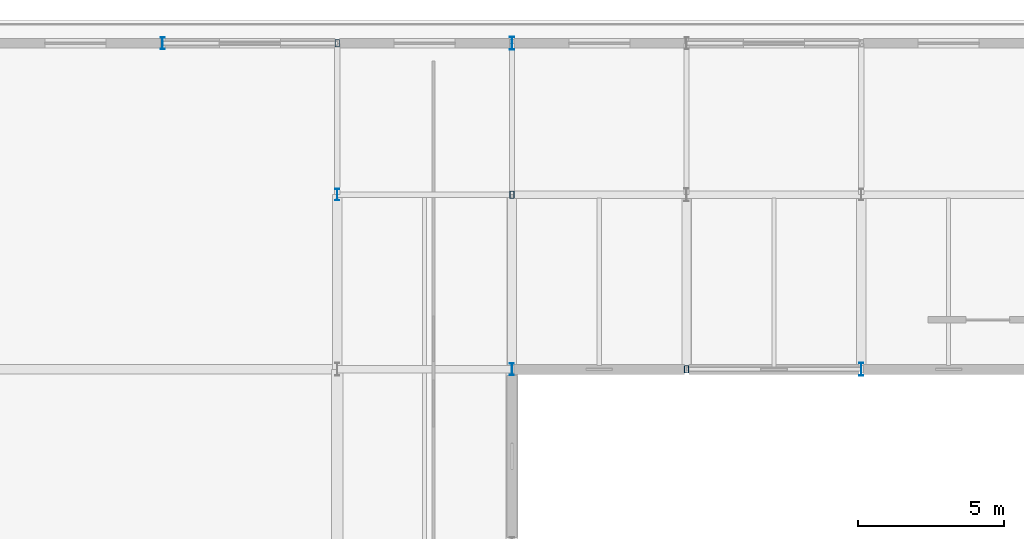
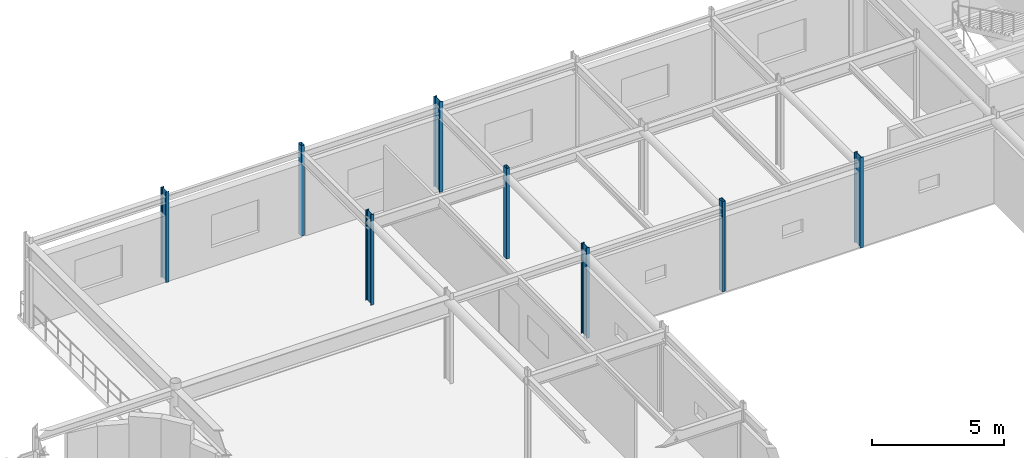
# One storey, part 20 of 116: 8 columns.
"""IFC4 building model written with IfcOpenShell, lengths in metres."""

from ifc_helpers import new_model, si_unit, direction, frame, origin, origin_2d, place, context, subcontext, project, spatial, hollow_rectangle, i_section, extrude, material, material_profile, profile_set, type_object, element, save


model = new_model("IFC4")

# Units and contexts
model_context = context("Model", 3, precision=1e-05, world=origin(), true_north=direction((0.0, 1.0)))
body_context = subcontext(model_context, "Body", "Model", "MODEL_VIEW")
ifc_project = project(units=[si_unit("LENGTHUNIT", "METRE"), si_unit("AREAUNIT", "SQUARE_METRE"), si_unit("VOLUMEUNIT", "CUBIC_METRE"), si_unit("PLANEANGLEUNIT", "RADIAN"), si_unit("MASSUNIT", "GRAM", prefix="KILO")], contexts=[model_context])

# Site, building, storey
site_placement = place(None, origin())
site = spatial("IfcSite", under=ifc_project, at=site_placement, CompositionType="ELEMENT")
building_placement = place(site_placement, origin())
building = spatial("IfcBuilding", under=site, at=building_placement, Name="Varnakota Square Police Headquarters", CompositionType="ELEMENT")
storey_placement = place(building_placement, frame((0.0, 0.0, 9.300048828125)))
storey = spatial("IfcBuildingStorey", under=building, at=storey_placement, Name="L02", CompositionType="ELEMENT", Elevation=9.300048828125)

# Columns
ifc_material = material(Name="Steel IS 2062 Grade 350", Category="steel")
ifc_material_profile_1 = material_profile(ifc_material, i_section(OverallWidth=0.139892578125, OverallDepth=0.39990234375, WebThickness=0.0087890625, FlangeThickness=0.01611328125, FilletRadius=0.013916015625, at=origin_2d()), Name="ISMB 400")
ifc_profile_set_1 = profile_set([ifc_material_profile_1], Name="Steel IS 2062 Grade 350")
column_type_1 = type_object("IfcColumnType", Name="COL-ISMB400", PredefinedType="COLUMN", material=ifc_profile_set_1)
for number, where, z_axis, x_axis, name in (
    (1, (102.0, 110.199951171875, 0.0), (0.0, 0.0, 1.0), (1.0, 0.0, 0.0), "Column X1020-Y1102 L02"),
    (2, (108.0, 105.0, 0.0), (0.0, 0.0, 1.0), (1.0, 0.0, 0.0), "Column X1080-Y1050 L02"),
    (3, (114.0, 99.0, 0.0), (0.0, 0.0, 1.0), (1.0, 0.0, 0.0), "Column X1140-Y0990 L02"),
):
    element("IfcColumn", number, at=place(storey_placement, frame(where, z_axis=z_axis, x_axis=x_axis)), inside=storey, type_object=column_type_1, Name=name, PredefinedType="COLUMN", context=body_context, shape_type="SweptSolid", body=[
        extrude(i_section(OverallWidth=0.139892578125, OverallDepth=0.39990234375, WebThickness=0.0087890625, FlangeThickness=0.01611328125, FilletRadius=0.013916015625, at=origin_2d()), origin(), (0.0, 0.0, 1.0), 4.199951171875),
    ])
ifc_material_profile_2 = material_profile(ifc_material, i_section(OverallWidth=0.14990234375, OverallDepth=0.449951171875, WebThickness=0.009521484375, FlangeThickness=0.017333984375, FilletRadius=0.014892578125, at=origin_2d()), Name="ISMB 450")
ifc_profile_set_2 = profile_set([ifc_material_profile_2], Name="Steel IS 2062 Grade 350")
column_type_2 = type_object("IfcColumnType", Name="COL-ISMB450", PredefinedType="COLUMN", material=ifc_profile_set_2)
for number, where, z_axis, x_axis, name in (
    (4, (114.0, 110.199951171875, 0.0), (0.0, 0.0, 1.0), (1.0, 0.0, 0.0), "Column X1140-Y1102 L02"),
    (5, (126.0, 99.0, 0.0), (0.0, 0.0, 1.0), (1.0, 0.0, 0.0), "Column X1260-Y0990 L02"),
):
    element("IfcColumn", number, at=place(storey_placement, frame(where, z_axis=z_axis, x_axis=x_axis)), inside=storey, type_object=column_type_2, Name=name, PredefinedType="COLUMN", context=body_context, shape_type="SweptSolid", body=[
        extrude(i_section(OverallWidth=0.14990234375, OverallDepth=0.449951171875, WebThickness=0.009521484375, FlangeThickness=0.017333984375, FilletRadius=0.014892578125, at=origin_2d()), origin(), (0.0, 0.0, 1.0), 4.199951171875),
    ])
ifc_material_profile_3 = material_profile(ifc_material, hollow_rectangle(XDim=0.14990234375, YDim=0.25, WallThickness=0.010009765625, InnerFilletRadius=0.010009765625, OuterFilletRadius=0.02001953125, at=origin_2d()), Name="RHS 250x150x10")
ifc_profile_set_3 = profile_set([ifc_material_profile_3], Name="Steel IS 2062 Grade 350")
column_type_3 = type_object("IfcColumnType", Name="COL-RHS250", PredefinedType="COLUMN", material=ifc_profile_set_3)
for number, where, z_axis, x_axis, name in (
    (6, (108.0, 110.199951171875, 0.0), (0.0, 0.0, 1.0), (1.0, 0.0, 0.0), "Column X1080-Y1102 L02"),
    (7, (114.0, 105.0, 0.0), (0.0, 0.0, 1.0), (1.0, 0.0, 0.0), "Column X1140-Y1050 L02"),
    (8, (120.0, 99.0, 0.0), (0.0, 0.0, 1.0), (1.0, 0.0, 0.0), "Column X1200-Y0990 L02"),
):
    element("IfcColumn", number, at=place(storey_placement, frame(where, z_axis=z_axis, x_axis=x_axis)), inside=storey, type_object=column_type_3, Name=name, PredefinedType="COLUMN", context=body_context, shape_type="SweptSolid", body=[
        extrude(hollow_rectangle(XDim=0.14990234375, YDim=0.25, WallThickness=0.010009765625, InnerFilletRadius=0.010009765625, OuterFilletRadius=0.02001953125, at=origin_2d()), origin(), (0.0, 0.0, 1.0), 4.199951171875),
    ])

save(model, "model.ifc")
